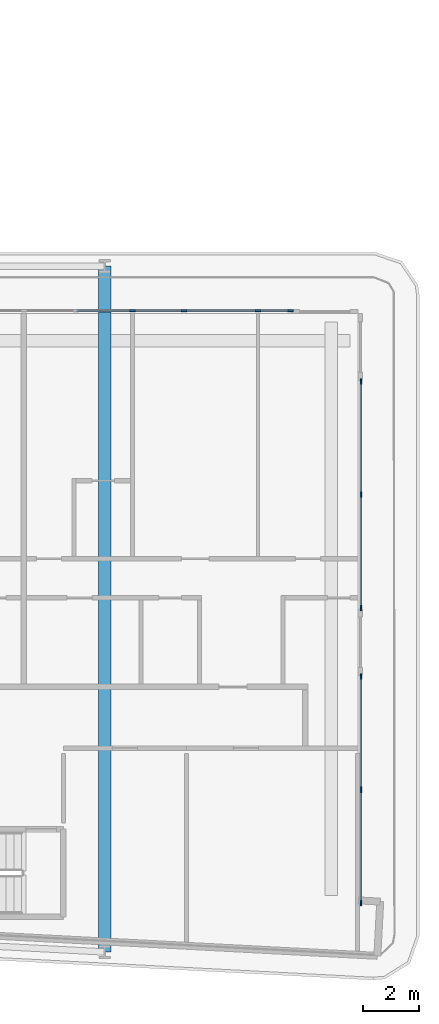
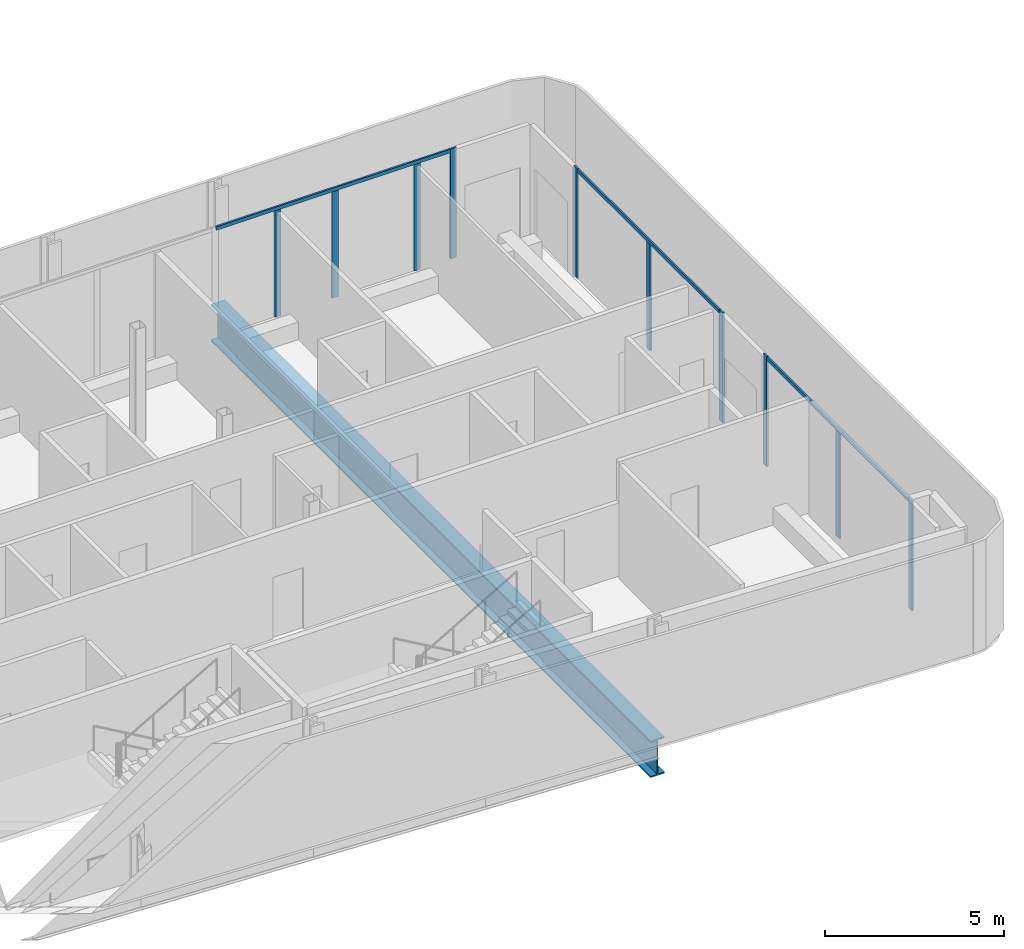
# One storey, part 8 of 29: 13 members, 1 beam, 3 elements without a shape of their own.
"""IFC4 building model written with IfcOpenShell, lengths in metres."""

from ifc_helpers import new_model, si_unit, direction, frame, origin, origin_2d, place, context, subcontext, project, spatial, rectangle, i_section, extrude, material, layer, layer_set, material_profile, profile_set, type_object, element, aggregate, save


model = new_model("IFC4")

# Units and contexts
model_context = context("Model", 3, precision=1e-05, world=origin(), true_north=direction((0.0, 1.0)))
body_context = subcontext(model_context, "Body", "Model", "MODEL_VIEW")
ifc_project = project(units=[si_unit("LENGTHUNIT", "METRE"), si_unit("AREAUNIT", "SQUARE_METRE"), si_unit("VOLUMEUNIT", "CUBIC_METRE"), si_unit("PLANEANGLEUNIT", "RADIAN"), si_unit("MASSUNIT", "GRAM", prefix="KILO")], contexts=[model_context])

# Site, building, storey
site_placement = place(None, origin())
site = spatial("IfcSite", under=ifc_project, at=site_placement, CompositionType="ELEMENT")
building_placement = place(site_placement, origin())
building = spatial("IfcBuilding", under=site, at=building_placement, Name="Kheshtan School and Residences Tower", CompositionType="ELEMENT")
storey_placement = place(building_placement, frame((0.0, 0.0, 69.5)))
storey = spatial("IfcBuildingStorey", under=building, at=storey_placement, Name="L16", CompositionType="ELEMENT", Elevation=69.5)

# Curtain wall, members
ifc_material_1 = material(Name="Clear low-e glass in thermally broken aluminium frame", Category="aluminium")
ifc_layer = layer(ifc_material_1, 0.199951171875)
ifc_layer_set = layer_set([ifc_layer], Name="Curtain wall CW-L")
curtain_wall_type = type_object("IfcCurtainWallType", Name="Curtain wall CW-L", PredefinedType="NOTDEFINED", material=ifc_layer_set)
curtain_wall_1_placement = place(storey_placement, origin())
curtain_wall_1 = element("IfcCurtainWall", 1, at=curtain_wall_1_placement, inside=storey, type_object=curtain_wall_type, Name="Curtain wall CWL12m", PredefinedType="NOTDEFINED")
ifc_material_2 = material(Name="Thermally broken aluminium, dark bronze anodised", Category="aluminium")
ifc_material_profile_1 = material_profile(ifc_material_2, rectangle(XDim=0.06005859375, YDim=0.199951171875, at=origin_2d()), Name="CW-L mullion 60x200")
ifc_profile_set_1 = profile_set([ifc_material_profile_1], Name="Thermally broken aluminium, dark bronze anodised")
member_type_1 = type_object("IfcMemberType", Name="CW-L mullion 60x200", PredefinedType="MULLION", material=ifc_profile_set_1)
member_1_placement = place(storey_placement, frame((91.800048828125, 44.0, 0.0), z_axis=(0.0, 0.0, 1.0), x_axis=(0.0, 1.0, 0.0)))
member_1 = element("IfcMember", 2, at=member_1_placement, type_object=member_type_1, Name="CWL12m mullion 2", PredefinedType="MULLION", context=body_context, shape_type="SweptSolid", body=[
    extrude(rectangle(XDim=0.06005859375, YDim=0.199951171875, at=origin_2d()), origin(), (0.0, 0.0, 1.0), 3.6298828125),
])
member_2_placement = place(storey_placement, frame((93.653076171875, 44.0, 0.0), z_axis=(0.0, 0.0, 1.0), x_axis=(0.0, 1.0, 0.0)))
member_2 = element("IfcMember", 3, at=member_2_placement, type_object=member_type_1, Name="CWL12m mullion 3", PredefinedType="MULLION", context=body_context, shape_type="SweptSolid", body=[
    extrude(rectangle(XDim=0.06005859375, YDim=0.199951171875, at=origin_2d()), origin(), (0.0, 0.0, 1.0), 3.6298828125),
])
member_3_placement = place(storey_placement, frame((96.300048828125, 44.0, 0.0), z_axis=(0.0, 0.0, 1.0), x_axis=(0.0, 1.0, 0.0)))
member_3 = element("IfcMember", 4, at=member_3_placement, type_object=member_type_1, Name="CWL12m mullion 4", PredefinedType="MULLION", context=body_context, shape_type="SweptSolid", body=[
    extrude(rectangle(XDim=0.06005859375, YDim=0.199951171875, at=origin_2d()), origin(), (0.0, 0.0, 1.0), 3.6298828125),
])
member_4_placement = place(storey_placement, frame((97.469970703125, 44.0, 0.0), z_axis=(0.0, 0.0, 1.0), x_axis=(0.0, 1.0, 0.0)))
member_4 = element("IfcMember", 5, at=member_4_placement, type_object=member_type_1, Name="CWL12m mullion 5", PredefinedType="MULLION", context=body_context, shape_type="SweptSolid", body=[
    extrude(rectangle(XDim=0.06005859375, YDim=0.199951171875, at=origin_2d()), origin(), (0.0, 0.0, 1.0), 3.75),
])

curtain_wall_2_placement = place(storey_placement, origin())
curtain_wall_2 = element("IfcCurtainWall", 6, at=curtain_wall_2_placement, inside=storey, type_object=curtain_wall_type, Name="Curtain wall CWL13b", PredefinedType="NOTDEFINED")
member_5_placement = place(storey_placement, frame((100.0, 41.469970703125, 0.0), z_axis=(0.0, 0.0, 1.0), x_axis=(1.0, 0.0, 0.0)))
member_5 = element("IfcMember", 7, at=member_5_placement, type_object=member_type_1, Name="CWL13b mullion 1", PredefinedType="MULLION", context=body_context, shape_type="SweptSolid", body=[
    extrude(rectangle(XDim=0.06005859375, YDim=0.199951171875, at=origin_2d()), origin(), (0.0, 0.0, 1.0), 3.75),
])
member_6_placement = place(storey_placement, frame((100.0, 37.403564453125, 0.0), z_axis=(0.0, 0.0, 1.0), x_axis=(1.0, 0.0, 0.0)))
member_6 = element("IfcMember", 8, at=member_6_placement, type_object=member_type_1, Name="CWL13b mullion 2", PredefinedType="MULLION", context=body_context, shape_type="SweptSolid", body=[
    extrude(rectangle(XDim=0.06005859375, YDim=0.199951171875, at=origin_2d()), origin(), (0.0, 0.0, 1.0), 3.6298828125),
])
member_7_placement = place(storey_placement, frame((100.0, 33.3369140625, 0.0), z_axis=(0.0, 0.0, 1.0), x_axis=(1.0, 0.0, 0.0)))
member_7 = element("IfcMember", 9, at=member_7_placement, type_object=member_type_1, Name="CWL13b mullion 3", PredefinedType="MULLION", context=body_context, shape_type="SweptSolid", body=[
    extrude(rectangle(XDim=0.06005859375, YDim=0.199951171875, at=origin_2d()), origin(), (0.0, 0.0, 1.0), 3.75),
])

curtain_wall_3_placement = place(storey_placement, origin())
curtain_wall_3 = element("IfcCurtainWall", 10, at=curtain_wall_3_placement, inside=storey, type_object=curtain_wall_type, Name="Curtain wall CWL13b", PredefinedType="NOTDEFINED")
member_8_placement = place(storey_placement, frame((100.0, 30.876953125, 0.0), z_axis=(0.0, 0.0, 1.0), x_axis=(1.0, 0.0, 0.0)))
member_8 = element("IfcMember", 11, at=member_8_placement, type_object=member_type_1, Name="CWL13b mullion 1", PredefinedType="MULLION", context=body_context, shape_type="SweptSolid", body=[
    extrude(rectangle(XDim=0.06005859375, YDim=0.199951171875, at=origin_2d()), origin(), (0.0, 0.0, 1.0), 3.75),
])
member_9_placement = place(storey_placement, frame((100.0, 26.810546875, 0.0), z_axis=(0.0, 0.0, 1.0), x_axis=(1.0, 0.0, 0.0)))
member_9 = element("IfcMember", 12, at=member_9_placement, type_object=member_type_1, Name="CWL13b mullion 2", PredefinedType="MULLION", context=body_context, shape_type="SweptSolid", body=[
    extrude(rectangle(XDim=0.06005859375, YDim=0.199951171875, at=origin_2d()), origin(), (0.0, 0.0, 1.0), 3.6298828125),
])
member_10_placement = place(storey_placement, frame((100.0, 22.743896484375, 0.0), z_axis=(0.0, 0.0, 1.0), x_axis=(1.0, 0.0, 0.0)))
member_10 = element("IfcMember", 13, at=member_10_placement, type_object=member_type_1, Name="CWL13b mullion 3", PredefinedType="MULLION", context=body_context, shape_type="SweptSolid", body=[
    extrude(rectangle(XDim=0.06005859375, YDim=0.199951171875, at=origin_2d()), origin(), (0.0, 0.0, 1.0), 3.75),
])

# Member
ifc_material_profile_2 = material_profile(ifc_material_2, rectangle(XDim=0.06005859375, YDim=0.1201171875, at=origin_2d()), Name="CW-L transom 60x120")
ifc_profile_set_2 = profile_set([ifc_material_profile_2], Name="Thermally broken aluminium, dark bronze anodised")
member_type_2 = type_object("IfcMemberType", Name="CW-L transom 60x120", PredefinedType="USERDEFINED", material=ifc_profile_set_2)
member_11_placement = place(storey_placement, frame((89.805908203125, 44.0, 3.68994140625), z_axis=(1.0, 0.0, 0.0), x_axis=(0.0, 1.0, 0.0)))
member_11 = element("IfcMember", 14, at=member_11_placement, type_object=member_type_2, Name="CWL12m transom 1", ObjectType="TRANSOM", PredefinedType="USERDEFINED", context=body_context, shape_type="SweptSolid", body=[
    extrude(rectangle(XDim=0.06005859375, YDim=0.1201171875, at=origin_2d()), origin(), (0.0, 0.0, 1.0), 7.634033203125),
])

aggregate(curtain_wall_1, [member_1, member_2, member_3, member_4, member_11])

member_12_placement = place(storey_placement, frame((100.0, 41.43994140625, 3.68994140625), z_axis=(0.0, -1.0, 0.0), x_axis=(1.0, 0.0, 0.0)))
member_12 = element("IfcMember", 15, at=member_12_placement, type_object=member_type_2, Name="CWL13b transom 1", ObjectType="TRANSOM", PredefinedType="USERDEFINED", context=body_context, shape_type="SweptSolid", body=[
    extrude(rectangle(XDim=0.06005859375, YDim=0.1201171875, at=origin_2d()), origin(), (0.0, 0.0, 1.0), 8.072998046875),
])

aggregate(curtain_wall_2, [member_5, member_6, member_7, member_12])

member_13_placement = place(storey_placement, frame((100.0, 30.846923828125, 3.68994140625), z_axis=(0.0, -1.0, 0.0), x_axis=(1.0, 0.0, 0.0)))
member_13 = element("IfcMember", 16, at=member_13_placement, type_object=member_type_2, Name="CWL13b transom 1", ObjectType="TRANSOM", PredefinedType="USERDEFINED", context=body_context, shape_type="SweptSolid", body=[
    extrude(rectangle(XDim=0.06005859375, YDim=0.1201171875, at=origin_2d()), origin(), (0.0, 0.0, 1.0), 8.072998046875),
])

aggregate(curtain_wall_3, [member_8, member_9, member_10, member_13])

# Beam
ifc_material_3 = material(Name="Steel ASTM A992 Grade 50", Category="steel")
ifc_material_profile_3 = material_profile(ifc_material_3, i_section(OverallWidth=0.449951171875, OverallDepth=1.25, WebThickness=0.02490234375, FlangeThickness=0.044921875, FilletRadius=0.03759765625, at=origin_2d()), Name="WWF1250x546")
ifc_profile_set_3 = profile_set([ifc_material_profile_3], Name="Steel ASTM A992 Grade 50")
beam_type = type_object("IfcBeamType", Name="Transfer girder TG4 WWF1250x546 ASTM A992 Grade 50", PredefinedType="BEAM", material=ifc_profile_set_3)
beam_placement = place(storey_placement, frame((90.800048828125, 45.60009765625, -0.77490234375), z_axis=(0.0, -1.0, 0.0), x_axis=(1.0, 0.0, 0.0)))
element("IfcBeam", 17, at=beam_placement, inside=storey, type_object=beam_type, Name="Transfer girder C068-C006", PredefinedType="BEAM", context=body_context, shape_type="SweptSolid", body=[
    extrude(i_section(OverallWidth=0.449951171875, OverallDepth=1.25, WebThickness=0.02490234375, FlangeThickness=0.044921875, FilletRadius=0.03759765625, at=origin_2d()), origin(), (0.0, 0.0, 1.0), 24.610107421875),
])

save(model, "model.ifc")
